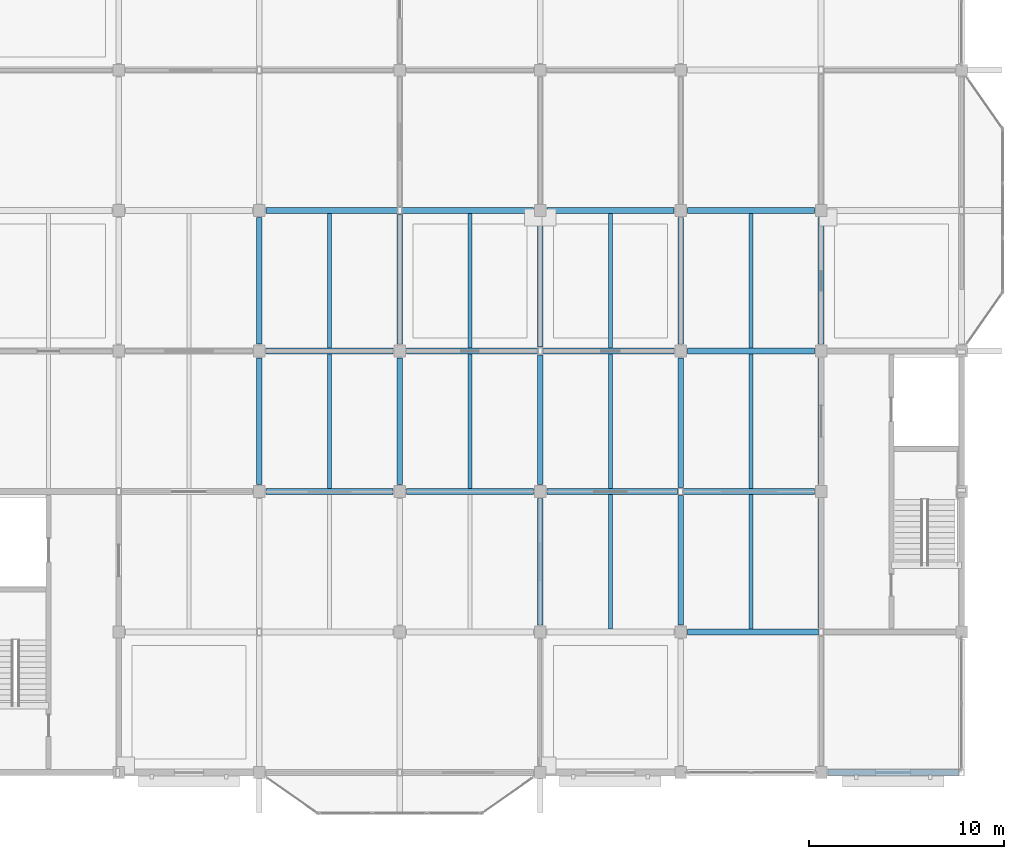
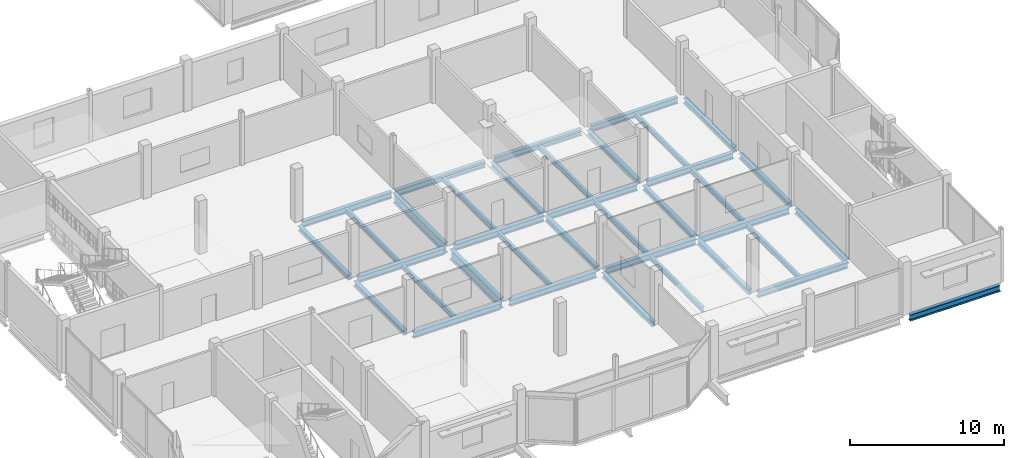
# One storey, part 28 of 51: 37 beams.
"""IFC4 building model written with IfcOpenShell, lengths in metres."""

import ifcopenshell
import ifcopenshell.guid

model = None  # the IFC model being written
_history = None  # IfcOwnerHistory: only IFC2X3 demands one
_inside = {}  # id of a spatial element -> (the spatial element, [elements in it])
_under = {}  # id of a project, library or spatial element -> (it, [spatial elements below it])
_declared = {}  # id of a project -> (the project, [libraries it declares])
_typed = {}  # id of a type object -> (the type object, [elements of that type])
_made_of = {}  # id of a material, layer set ... -> (it, [elements and type objects made of it])


def new_model(schema):
    """Start an empty IFC model of exactly this schema.

    Asked for "IFC4X3", IfcOpenShell would pick the latest addendum, in which some entities
    have other attributes; the version numbers below select the first issue.
    IFC2X3 requires an IfcOwnerHistory on every rooted entity: one is made here for all.
    """
    global model, _history
    if schema == "IFC4X3":
        model = ifcopenshell.file(schema_version=(4, 3, 0, 0))
    else:
        model = ifcopenshell.file(schema=schema)
    _inside.clear()
    _under.clear()
    _declared.clear()
    _typed.clear()
    _made_of.clear()
    _history = None
    if model.schema == "IFC2X3":
        org = make("IfcOrganization", Name="unknown")
        user = make(
            "IfcPersonAndOrganization",
            ThePerson=make("IfcPerson", FamilyName="unknown"),
            TheOrganization=org,
        )
        app = make(
            "IfcApplication",
            ApplicationDeveloper=org,
            Version="unknown",
            ApplicationFullName="unknown",
            ApplicationIdentifier="unknown",
        )
        _history = make(
            "IfcOwnerHistory",
            OwningUser=user,
            OwningApplication=app,
            ChangeAction="ADDED",
            CreationDate=0,
        )
    return model


def make(cls, **values):
    """One entity of the class cls with the attributes given. An attribute that is None is left unset."""
    return model.create_entity(
        cls, **{name: value for name, value in values.items() if value is not None}
    )


def rooted(cls, **values):
    """An entity with a GlobalId (a new one), such as an element, a storey or a relation."""
    return make(cls, GlobalId=ifcopenshell.guid.new(), OwnerHistory=_history, **values)


def si_unit(unit_type, name, prefix=None):
    """IfcSIUnit, for example si_unit("LENGTHUNIT", "METRE", prefix="MILLI")."""
    return make("IfcSIUnit", UnitType=unit_type, Prefix=prefix, Name=name)


def assignment(units):
    """IfcUnitAssignment: the units of a project."""
    return None if units is None else make("IfcUnitAssignment", Units=units)


def point(xyz):
    """IfcCartesianPoint."""
    return None if xyz is None else make("IfcCartesianPoint", Coordinates=xyz)


def direction(xyz):
    """IfcDirection."""
    return None if xyz is None else make("IfcDirection", DirectionRatios=xyz)


def frame(location, z_axis=None, x_axis=None):
    """IfcAxis2Placement3D, a coordinate frame: its origin and axes. An axis left out is left unset."""
    return make(
        "IfcAxis2Placement3D",
        Location=point(location),
        Axis=direction(z_axis),
        RefDirection=direction(x_axis),
    )


def frame_2d(location, x_axis=None):
    """IfcAxis2Placement2D, a coordinate frame in the plane: its origin and x axis."""
    return make(
        "IfcAxis2Placement2D", Location=point(location), RefDirection=direction(x_axis)
    )


def origin():
    """The frame at (0, 0, 0) with its axes left unset."""
    return frame((0.0, 0.0, 0.0))


def origin_2d():
    """The frame at (0, 0) in the plane with its x axis left unset."""
    return frame_2d((0.0, 0.0))


def place(relative_to, where):
    """IfcLocalPlacement: puts the frame where relative to a parent placement (None: the world)."""
    return make(
        "IfcLocalPlacement", PlacementRelTo=relative_to, RelativePlacement=where
    )


def context(
    kind, dimensions, precision=None, world=None, true_north=None, identifier=None
):
    """IfcGeometricRepresentationContext, for example the 3D "Model" context."""
    return make(
        "IfcGeometricRepresentationContext",
        ContextIdentifier=identifier,
        ContextType=kind,
        CoordinateSpaceDimension=dimensions,
        Precision=precision,
        WorldCoordinateSystem=world,
        TrueNorth=true_north,
    )


def subcontext(parent, identifier, kind, view, scale=None):
    """IfcGeometricRepresentationSubContext, for example "Body" below "Model"."""
    return make(
        "IfcGeometricRepresentationSubContext",
        ContextIdentifier=identifier,
        ContextType=kind,
        ParentContext=parent,
        TargetScale=scale,
        TargetView=view,
    )


def project(units=None, contexts=None):
    """IfcProject with its units and contexts."""
    return rooted(
        "IfcProject",
        Name="project",
        RepresentationContexts=contexts,
        UnitsInContext=assignment(units),
    )


def spatial(cls, under=None, at=None, **own):
    """A site, building, storey or space (cls), placed at a placement, below another one or the project."""
    s = rooted(cls, ObjectPlacement=at, **own)
    if under is not None:
        _under.setdefault(under.id(), (under, []))[1].append(s)
    return s


def profile(cls, at=None, kind="AREA", **sizes):
    """A parametric profile (cls). Its sizes go by their IFC names, for example OverallWidth=200.0."""
    return make(cls, ProfileType=kind, Position=at, **sizes)


def i_section(**sizes):
    """IfcIShapeProfileDef."""
    return profile("IfcIShapeProfileDef", **sizes)


def extrude(swept, where, along, depth):
    """IfcExtrudedAreaSolid: the profile swept, set in the frame where, extruded along a direction by depth."""
    return make(
        "IfcExtrudedAreaSolid",
        SweptArea=swept,
        Position=where,
        ExtrudedDirection=direction(along),
        Depth=depth,
    )


def shape(context_of_items, identifier, shape_type, items):
    """IfcShapeRepresentation: the items that make up one representation, for example the "Body"."""
    return make(
        "IfcShapeRepresentation",
        ContextOfItems=context_of_items,
        RepresentationIdentifier=identifier,
        RepresentationType=shape_type,
        Items=items,
    )


def material(Name=None, Category=None):
    """IfcMaterial."""
    return make("IfcMaterial", Name=Name, Category=Category)


def material_profile(
    of_material, cross_section, Name=None, Category=None, Priority=None
):
    """IfcMaterialProfile: a cross section and its material."""
    return make(
        "IfcMaterialProfile",
        Name=Name,
        Material=of_material,
        Profile=cross_section,
        Priority=Priority,
        Category=Category,
    )


def profile_set(profiles, Name=None, composite=None):
    """IfcMaterialProfileSet."""
    return make(
        "IfcMaterialProfileSet",
        Name=Name,
        MaterialProfiles=profiles,
        CompositeProfile=composite,
    )


def made_of(thing, what):
    """Note that an element or type object is made of a material, layer set ...; save() writes the relation."""
    if what is not None:
        _made_of.setdefault(what.id(), (what, []))[1].append(thing)
    return thing


def type_object(cls, material=None, **own):
    """A type object (cls), such as IfcWallType, which elements share."""
    return made_of(rooted(cls, **own), material)


def element(
    cls,
    number,
    at=None,
    inside=None,
    cuts=None,
    type_object=None,
    material=None,
    context=None,
    identifier="Body",
    shape_type=None,
    held_by="IfcProductDefinitionShape",
    body=None,
    shapes=None,
    **own,
):
    """One element of the class cls, such as IfcWall. Its Tag is "e" and its number.

    at: its placement. inside: the storey or other place that contains it. cuts: it is an
    opening in that element (IfcRelVoidsElement). A single representation is given by context,
    identifier, shape_type and body (its items); several are given by shapes. held_by: the class
    of the entity that holds the representations. save() writes the other relations.
    """
    e = rooted(cls, Tag="e%d" % number, ObjectPlacement=at, **own)
    if body is not None:
        shapes = [shape(context, identifier, shape_type, body)]
    if shapes is not None:
        e.Representation = make(held_by, Representations=shapes)
    if inside is not None:
        _inside.setdefault(inside.id(), (inside, []))[1].append(e)
    if cuts is not None:
        rooted(
            "IfcRelVoidsElement", RelatingBuildingElement=cuts, RelatedOpeningElement=e
        )
    if type_object is not None:
        _typed.setdefault(type_object.id(), (type_object, []))[1].append(e)
    return made_of(e, material)


def aggregate(whole, parts):
    """IfcRelAggregates: a whole, such as a stair, and the parts it consists of."""
    return rooted("IfcRelAggregates", RelatingObject=whole, RelatedObjects=parts)


def save(model, path):
    """Write the relations noted so far, then the file.

    IfcRelAggregates (storeys below a building ...), IfcRelContainedInSpatialStructure (elements
    in a storey), IfcRelDefinesByType, IfcRelAssociatesMaterial and IfcRelDeclares: one each for
    every whole, place, type object, material and project.
    """
    for whole, parts in _under.values():
        aggregate(whole, parts)
    for where, things in _inside.values():
        rooted(
            "IfcRelContainedInSpatialStructure",
            RelatedElements=things,
            RelatingStructure=where,
        )
    for kind, things in _typed.values():
        rooted("IfcRelDefinesByType", RelatedObjects=things, RelatingType=kind)
    for what, things in _made_of.values():
        rooted("IfcRelAssociatesMaterial", RelatedObjects=things, RelatingMaterial=what)
    for by, libraries in _declared.values():
        rooted("IfcRelDeclares", RelatingContext=by, RelatedDefinitions=libraries)
    model.write(path)


model = new_model("IFC4")

# Units and contexts
model_context = context("Model", 3, precision=1e-05, world=origin(), true_north=direction((0.0, 1.0)))
body_context = subcontext(model_context, "Body", "Model", "MODEL_VIEW")
ifc_project = project(units=[si_unit("LENGTHUNIT", "METRE"), si_unit("AREAUNIT", "SQUARE_METRE"), si_unit("VOLUMEUNIT", "CUBIC_METRE"), si_unit("PLANEANGLEUNIT", "RADIAN"), si_unit("MASSUNIT", "GRAM", prefix="KILO")], contexts=[model_context])

# Site, building, storey
site_placement = place(None, origin())
site = spatial("IfcSite", under=ifc_project, at=site_placement, CompositionType="ELEMENT")
building_placement = place(site_placement, origin())
building = spatial("IfcBuilding", under=site, at=building_placement, Name="Vesperath Aquatics Centre", CompositionType="ELEMENT")
storey_placement = place(building_placement, frame((0.0, 0.0, 15.0)))
storey = spatial("IfcBuildingStorey", under=building, at=storey_placement, Name="L03", CompositionType="ELEMENT", Elevation=15.0)

# Beams
ifc_material_1 = material(Name="Steel Q355D", Category="steel")
ifc_material_profile_1 = material_profile(ifc_material_1, i_section(OverallWidth=0.300048828125, OverallDepth=0.800048828125, WebThickness=0.013916015625, FlangeThickness=0.02587890625, FilletRadius=0.028076171875, at=origin_2d()), Name="HN 800x300x14x26")
ifc_profile_set_1 = profile_set([ifc_material_profile_1], Name="Steel Q355D")
beam_type_1 = type_object("IfcBeamType", Name="BM-G07", PredefinedType="BEAM", material=ifc_profile_set_1)
beam_1_placement = place(storey_placement, frame((144.0, 14.75, -0.639892578125), z_axis=(0.0, 1.0, 0.0), x_axis=(-1.0, 0.0, 0.0)))
element("IfcBeam", 1, at=beam_1_placement, inside=storey, type_object=beam_type_1, Name="Floor Girder B07 L03 21 C-D", PredefinedType="BEAM", context=body_context, shape_type="SweptSolid", body=[
    extrude(i_section(OverallWidth=0.300048828125, OverallDepth=0.800048828125, WebThickness=0.013916015625, FlangeThickness=0.02587890625, FilletRadius=0.028076171875, at=origin_2d()), origin(), (0.0, 0.0, 1.0), 6.5),
])
beam_2_placement = place(storey_placement, frame((144.0, 21.949951171875, -0.639892578125), z_axis=(0.0, 1.0, 0.0), x_axis=(-1.0, 0.0, 0.0)))
element("IfcBeam", 2, at=beam_2_placement, inside=storey, type_object=beam_type_1, Name="Floor Girder B07 L03 21 D-E", PredefinedType="BEAM", context=body_context, shape_type="SweptSolid", body=[
    extrude(i_section(OverallWidth=0.300048828125, OverallDepth=0.800048828125, WebThickness=0.013916015625, FlangeThickness=0.02587890625, FilletRadius=0.028076171875, at=origin_2d()), origin(), (0.0, 0.0, 1.0), 6.650146484375),
])
ifc_material_2 = material(Name="Steel Q355C", Category="steel")
ifc_material_profile_2 = material_profile(ifc_material_2, i_section(OverallWidth=0.300048828125, OverallDepth=0.488037109375, WebThickness=0.010986328125, FlangeThickness=0.01806640625, FilletRadius=0.02587890625, at=origin_2d()), Name="HM 488x300x11x18")
ifc_profile_set_2 = profile_set([ifc_material_profile_2], Name="Steel Q355C")
beam_type_2 = type_object("IfcBeamType", Name="BM-G10", PredefinedType="BEAM", material=ifc_profile_set_2)
for number, where, z_axis, x_axis, name in (
    (3, (137.14990234375, 14.39990234375, -0.48388671875), (1.0, 0.0, 0.0), (0.0, 1.0, 0.0), "Floor Girder B10 L03 C 20-21"),
    (4, (137.14990234375, 21.60009765625, -0.48388671875), (1.0, 0.0, 0.0), (0.0, 1.0, 0.0), "Floor Girder B10 L03 D 20-21"),
):
    element("IfcBeam", number, at=place(storey_placement, frame(where, z_axis=z_axis, x_axis=x_axis)), inside=storey, type_object=beam_type_2, Name=name, PredefinedType="BEAM", context=body_context, shape_type="SweptSolid", body=[
        extrude(i_section(OverallWidth=0.300048828125, OverallDepth=0.488037109375, WebThickness=0.010986328125, FlangeThickness=0.01806640625, FilletRadius=0.02587890625, at=origin_2d()), origin(), (0.0, 0.0, 1.0), 6.5),
    ])
beam_3_placement = place(storey_placement, frame((137.14990234375, 28.800048828125, -0.48388671875), z_axis=(1.0, 0.0, 0.0), x_axis=(0.0, 1.0, 0.0)))
element("IfcBeam", 5, at=beam_3_placement, inside=storey, type_object=beam_type_2, Name="Floor Girder B10 L03 E 20-21", PredefinedType="BEAM", context=body_context, shape_type="SweptSolid", body=[
    extrude(i_section(OverallWidth=0.300048828125, OverallDepth=0.488037109375, WebThickness=0.010986328125, FlangeThickness=0.01806640625, FilletRadius=0.02587890625, at=origin_2d()), origin(), (0.0, 0.0, 1.0), 6.72509765625),
])
beam_4_placement = place(storey_placement, frame((144.35009765625, 14.39990234375, -0.48388671875), z_axis=(1.0, 0.0, 0.0), x_axis=(0.0, 1.0, 0.0)))
element("IfcBeam", 6, at=beam_4_placement, inside=storey, type_object=beam_type_2, Name="Floor Girder B10 L03 C 21-22", PredefinedType="BEAM", context=body_context, shape_type="SweptSolid", body=[
    extrude(i_section(OverallWidth=0.300048828125, OverallDepth=0.488037109375, WebThickness=0.010986328125, FlangeThickness=0.01806640625, FilletRadius=0.02587890625, at=origin_2d()), origin(), (0.0, 0.0, 1.0), 6.5),
])
beam_5_placement = place(storey_placement, frame((144.35009765625, 21.60009765625, -0.48388671875), z_axis=(1.0, 0.0, 0.0), x_axis=(0.0, 1.0, 0.0)))
element("IfcBeam", 7, at=beam_5_placement, inside=storey, type_object=beam_type_2, Name="Floor Girder B10 L03 D 21-22", PredefinedType="BEAM", context=body_context, shape_type="SweptSolid", body=[
    extrude(i_section(OverallWidth=0.300048828125, OverallDepth=0.488037109375, WebThickness=0.010986328125, FlangeThickness=0.01806640625, FilletRadius=0.02587890625, at=origin_2d()), origin(), (0.0, 0.0, 1.0), 6.724853515625),
])
beam_6_placement = place(storey_placement, frame((144.125, 28.800048828125, -0.48388671875), z_axis=(1.0, 0.0, 0.0), x_axis=(0.0, 1.0, 0.0)))
element("IfcBeam", 8, at=beam_6_placement, inside=storey, type_object=beam_type_2, Name="Floor Girder B10 L03 E 21-22", PredefinedType="BEAM", context=body_context, shape_type="SweptSolid", body=[
    extrude(i_section(OverallWidth=0.300048828125, OverallDepth=0.488037109375, WebThickness=0.010986328125, FlangeThickness=0.01806640625, FilletRadius=0.02587890625, at=origin_2d()), origin(), (0.0, 0.0, 1.0), 6.72509765625),
])
beam_7_placement = place(storey_placement, frame((151.550048828125, 14.39990234375, -0.48388671875), z_axis=(1.0, 0.0, 0.0), x_axis=(0.0, 1.0, 0.0)))
element("IfcBeam", 9, at=beam_7_placement, inside=storey, type_object=beam_type_2, Name="Floor Girder B10 L03 C 22-23", PredefinedType="BEAM", context=body_context, shape_type="SweptSolid", body=[
    extrude(i_section(OverallWidth=0.300048828125, OverallDepth=0.488037109375, WebThickness=0.010986328125, FlangeThickness=0.01806640625, FilletRadius=0.02587890625, at=origin_2d()), origin(), (0.0, 0.0, 1.0), 6.724853515625),
])
beam_8_placement = place(storey_placement, frame((151.324951171875, 21.60009765625, -0.48388671875), z_axis=(1.0, 0.0, 0.0), x_axis=(0.0, 1.0, 0.0)))
element("IfcBeam", 10, at=beam_8_placement, inside=storey, type_object=beam_type_2, Name="Floor Girder B10 L03 D 22-23", PredefinedType="BEAM", context=body_context, shape_type="SweptSolid", body=[
    extrude(i_section(OverallWidth=0.300048828125, OverallDepth=0.488037109375, WebThickness=0.010986328125, FlangeThickness=0.01806640625, FilletRadius=0.02587890625, at=origin_2d()), origin(), (0.0, 0.0, 1.0), 6.72509765625),
])
beam_9_placement = place(storey_placement, frame((151.550048828125, 28.800048828125, -0.48388671875), z_axis=(1.0, 0.0, 0.0), x_axis=(0.0, 1.0, 0.0)))
element("IfcBeam", 11, at=beam_9_placement, inside=storey, type_object=beam_type_2, Name="Floor Girder B10 L03 E 22-23", PredefinedType="BEAM", context=body_context, shape_type="SweptSolid", body=[
    extrude(i_section(OverallWidth=0.300048828125, OverallDepth=0.488037109375, WebThickness=0.010986328125, FlangeThickness=0.01806640625, FilletRadius=0.02587890625, at=origin_2d()), origin(), (0.0, 0.0, 1.0), 6.5),
])
for number, where, z_axis, x_axis, name in (
    (12, (158.75, 7.199951171875, -0.48388671875), (1.0, 0.0, 0.0), (0.0, 1.0, 0.0), "Floor Girder B10 L03 B 23-24"),
    (13, (158.52490234375, 14.39990234375, -0.48388671875), (1.0, 0.0, 0.0), (0.0, 1.0, 0.0), "Floor Girder B10 L03 C 23-24"),
):
    element("IfcBeam", number, at=place(storey_placement, frame(where, z_axis=z_axis, x_axis=x_axis)), inside=storey, type_object=beam_type_2, Name=name, PredefinedType="BEAM", context=body_context, shape_type="SweptSolid", body=[
        extrude(i_section(OverallWidth=0.300048828125, OverallDepth=0.488037109375, WebThickness=0.010986328125, FlangeThickness=0.01806640625, FilletRadius=0.02587890625, at=origin_2d()), origin(), (0.0, 0.0, 1.0), 6.72509765625),
    ])
for number, where, z_axis, x_axis, name in (
    (14, (158.75, 21.60009765625, -0.48388671875), (1.0, 0.0, 0.0), (0.0, 1.0, 0.0), "Floor Girder B10 L03 D 23-24"),
    (15, (158.75, 28.800048828125, -0.48388671875), (1.0, 0.0, 0.0), (0.0, 1.0, 0.0), "Floor Girder B10 L03 E 23-24"),
):
    element("IfcBeam", number, at=place(storey_placement, frame(where, z_axis=z_axis, x_axis=x_axis)), inside=storey, type_object=beam_type_2, Name=name, PredefinedType="BEAM", context=body_context, shape_type="SweptSolid", body=[
        extrude(i_section(OverallWidth=0.300048828125, OverallDepth=0.488037109375, WebThickness=0.010986328125, FlangeThickness=0.01806640625, FilletRadius=0.02587890625, at=origin_2d()), origin(), (0.0, 0.0, 1.0), 6.5),
    ])
beam_10_placement = place(storey_placement, frame((165.949951171875, 0.0, -0.48388671875), z_axis=(1.0, 0.0, 0.0), x_axis=(0.0, 1.0, 0.0)))
element("IfcBeam", 16, at=beam_10_placement, inside=storey, type_object=beam_type_2, Name="Floor Girder B10 L03 A 24-25", PredefinedType="BEAM", context=body_context, shape_type="SweptSolid", body=[
    extrude(i_section(OverallWidth=0.300048828125, OverallDepth=0.488037109375, WebThickness=0.010986328125, FlangeThickness=0.01806640625, FilletRadius=0.02587890625, at=origin_2d()), origin(), (0.0, 0.0, 1.0), 6.72509765625),
])
ifc_material_profile_3 = material_profile(ifc_material_2, i_section(OverallWidth=0.300048828125, OverallDepth=0.389892578125, WebThickness=0.010009765625, FlangeThickness=0.01611328125, FilletRadius=0.02197265625, at=origin_2d()), Name="HM 390x300x10x16")
ifc_profile_set_3 = profile_set([ifc_material_profile_3], Name="Steel Q355C")
beam_type_3 = type_object("IfcBeamType", Name="BM-G11", PredefinedType="BEAM", material=ifc_profile_set_3)
for number, where, z_axis, x_axis, name in (
    (17, (136.800048828125, 14.75, -0.43505859375), (0.0, 1.0, 0.0), (-1.0, 0.0, 0.0), "Floor Girder B11 L03 20 C-D"),
    (18, (136.800048828125, 21.949951171875, -0.43505859375), (0.0, 1.0, 0.0), (-1.0, 0.0, 0.0), "Floor Girder B11 L03 20 D-E"),
    (19, (151.199951171875, 7.550048828125, -0.43505859375), (0.0, 1.0, 0.0), (-1.0, 0.0, 0.0), "Floor Girder B11 L03 22 B-C"),
):
    element("IfcBeam", number, at=place(storey_placement, frame(where, z_axis=z_axis, x_axis=x_axis)), inside=storey, type_object=beam_type_3, Name=name, PredefinedType="BEAM", context=body_context, shape_type="SweptSolid", body=[
        extrude(i_section(OverallWidth=0.300048828125, OverallDepth=0.389892578125, WebThickness=0.010009765625, FlangeThickness=0.01611328125, FilletRadius=0.02197265625, at=origin_2d()), origin(), (0.0, 0.0, 1.0), 6.5),
    ])
for number, where, z_axis, x_axis, name in (
    (20, (151.199951171875, 14.75, -0.43505859375), (0.0, 1.0, 0.0), (-1.0, 0.0, 0.0), "Floor Girder B11 L03 22 C-D"),
    (21, (151.199951171875, 21.800048828125, -0.43505859375), (0.0, 1.0, 0.0), (-1.0, 0.0, 0.0), "Floor Girder B11 L03 22 D-E"),
    (22, (158.39990234375, 7.550048828125, -0.43505859375), (0.0, 1.0, 0.0), (-1.0, 0.0, 0.0), "Floor Girder B11 L03 23 B-C"),
    (23, (158.39990234375, 14.60009765625, -0.43505859375), (0.0, 1.0, 0.0), (-1.0, 0.0, 0.0), "Floor Girder B11 L03 23 C-D"),
):
    element("IfcBeam", number, at=place(storey_placement, frame(where, z_axis=z_axis, x_axis=x_axis)), inside=storey, type_object=beam_type_3, Name=name, PredefinedType="BEAM", context=body_context, shape_type="SweptSolid", body=[
        extrude(i_section(OverallWidth=0.300048828125, OverallDepth=0.389892578125, WebThickness=0.010009765625, FlangeThickness=0.01611328125, FilletRadius=0.02197265625, at=origin_2d()), origin(), (0.0, 0.0, 1.0), 6.64990234375),
    ])
beam_11_placement = place(storey_placement, frame((158.39990234375, 21.949951171875, -0.43505859375), z_axis=(0.0, 1.0, 0.0), x_axis=(-1.0, 0.0, 0.0)))
element("IfcBeam", 24, at=beam_11_placement, inside=storey, type_object=beam_type_3, Name="Floor Girder B11 L03 23 D-E", PredefinedType="BEAM", context=body_context, shape_type="SweptSolid", body=[
    extrude(i_section(OverallWidth=0.300048828125, OverallDepth=0.389892578125, WebThickness=0.010009765625, FlangeThickness=0.01611328125, FilletRadius=0.02197265625, at=origin_2d()), origin(), (0.0, 0.0, 1.0), 6.5),
])
beam_12_placement = place(storey_placement, frame((165.60009765625, 7.39990234375, -0.43505859375), z_axis=(0.0, 1.0, 0.0), x_axis=(-1.0, 0.0, 0.0)))
element("IfcBeam", 25, at=beam_12_placement, inside=storey, type_object=beam_type_3, Name="Floor Girder B11 L03 24 B-C", PredefinedType="BEAM", context=body_context, shape_type="SweptSolid", body=[
    extrude(i_section(OverallWidth=0.300048828125, OverallDepth=0.389892578125, WebThickness=0.010009765625, FlangeThickness=0.01611328125, FilletRadius=0.02197265625, at=origin_2d()), origin(), (0.0, 0.0, 1.0), 6.650146484375),
])
for number, where, z_axis, x_axis, name in (
    (26, (165.60009765625, 14.75, -0.43505859375), (0.0, 1.0, 0.0), (-1.0, 0.0, 0.0), "Floor Girder B11 L03 24 C-D"),
    (27, (165.60009765625, 21.949951171875, -0.43505859375), (0.0, 1.0, 0.0), (-1.0, 0.0, 0.0), "Floor Girder B11 L03 24 D-E"),
):
    element("IfcBeam", number, at=place(storey_placement, frame(where, z_axis=z_axis, x_axis=x_axis)), inside=storey, type_object=beam_type_3, Name=name, PredefinedType="BEAM", context=body_context, shape_type="SweptSolid", body=[
        extrude(i_section(OverallWidth=0.300048828125, OverallDepth=0.389892578125, WebThickness=0.010009765625, FlangeThickness=0.01611328125, FilletRadius=0.02197265625, at=origin_2d()), origin(), (0.0, 0.0, 1.0), 6.5),
    ])
ifc_material_profile_4 = material_profile(ifc_material_2, i_section(OverallWidth=0.199951171875, OverallDepth=0.39990234375, WebThickness=0.008056640625, FlangeThickness=0.012939453125, FilletRadius=0.01611328125, at=origin_2d()), Name="HN 400x200x8x13")
ifc_profile_set_4 = profile_set([ifc_material_profile_4], Name="Steel Q355C")
beam_type_4 = type_object("IfcBeamType", Name="BM-J04", PredefinedType="JOIST", material=ifc_profile_set_4)
for number, where, z_axis, x_axis, name in (
    (28, (140.39990234375, 14.550048828125, -0.43994140625), (0.0, 1.0, 0.0), (-1.0, 0.0, 0.0), "Secondary Floor Joist J04 L03 20/C"),
    (29, (140.39990234375, 21.75, -0.43994140625), (0.0, 1.0, 0.0), (-1.0, 0.0, 0.0), "Secondary Floor Joist J04 L03 20/D"),
    (30, (147.60009765625, 14.550048828125, -0.43994140625), (0.0, 1.0, 0.0), (-1.0, 0.0, 0.0), "Secondary Floor Joist J04 L03 21/C"),
    (31, (147.60009765625, 21.75, -0.43994140625), (0.0, 1.0, 0.0), (-1.0, 0.0, 0.0), "Secondary Floor Joist J04 L03 21/D"),
    (32, (154.800048828125, 7.35009765625, -0.43994140625), (0.0, 1.0, 0.0), (-1.0, 0.0, 0.0), "Secondary Floor Joist J04 L03 22/B"),
    (33, (154.800048828125, 14.550048828125, -0.43994140625), (0.0, 1.0, 0.0), (-1.0, 0.0, 0.0), "Secondary Floor Joist J04 L03 22/C"),
    (34, (154.800048828125, 21.75, -0.43994140625), (0.0, 1.0, 0.0), (-1.0, 0.0, 0.0), "Secondary Floor Joist J04 L03 22/D"),
    (35, (162.0, 7.35009765625, -0.43994140625), (0.0, 1.0, 0.0), (-1.0, 0.0, 0.0), "Secondary Floor Joist J04 L03 23/B"),
    (36, (162.0, 14.550048828125, -0.43994140625), (0.0, 1.0, 0.0), (-1.0, 0.0, 0.0), "Secondary Floor Joist J04 L03 23/C"),
    (37, (162.0, 21.75, -0.43994140625), (0.0, 1.0, 0.0), (-1.0, 0.0, 0.0), "Secondary Floor Joist J04 L03 23/D"),
):
    element("IfcBeam", number, at=place(storey_placement, frame(where, z_axis=z_axis, x_axis=x_axis)), inside=storey, type_object=beam_type_4, Name=name, PredefinedType="JOIST", context=body_context, shape_type="SweptSolid", body=[
        extrude(i_section(OverallWidth=0.199951171875, OverallDepth=0.39990234375, WebThickness=0.008056640625, FlangeThickness=0.012939453125, FilletRadius=0.01611328125, at=origin_2d()), origin(), (0.0, 0.0, 1.0), 6.89990234375),
    ])

save(model, "model.ifc")
